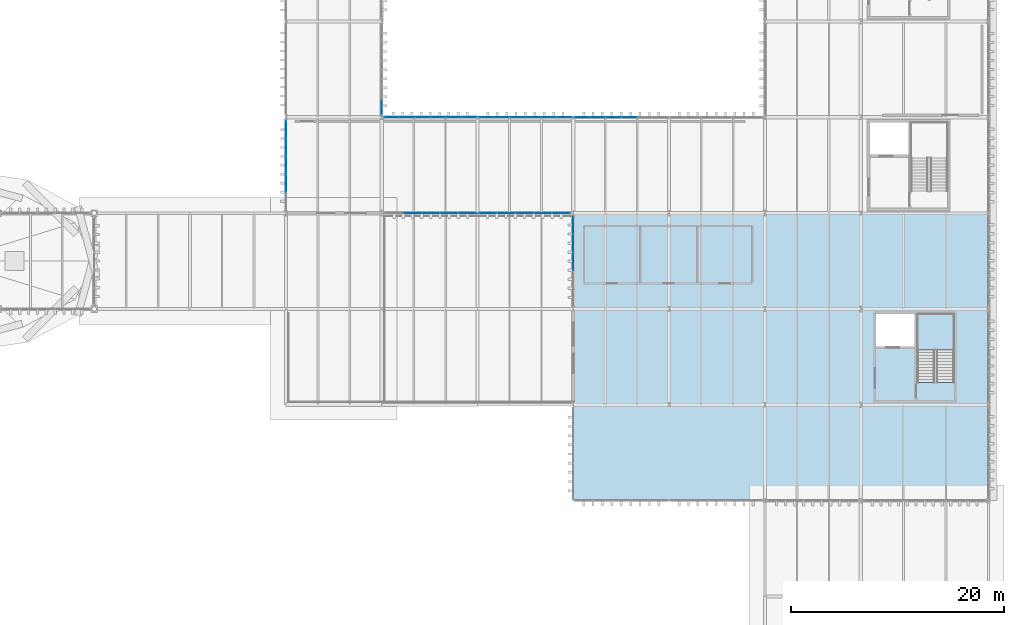
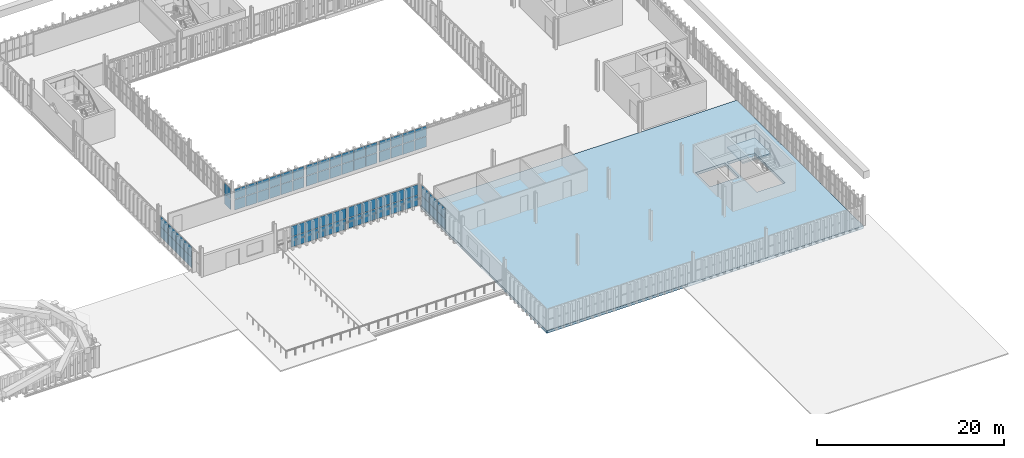
# One storey, part 82 of 102: 66 plates, 2 slabs, 9 elements without a shape of their own.
"""IFC4 building model written with IfcOpenShell, lengths in metres."""

import ifcopenshell
import ifcopenshell.guid

model = None  # the IFC model being written
_history = None  # IfcOwnerHistory: only IFC2X3 demands one
_inside = {}  # id of a spatial element -> (the spatial element, [elements in it])
_under = {}  # id of a project, library or spatial element -> (it, [spatial elements below it])
_declared = {}  # id of a project -> (the project, [libraries it declares])
_typed = {}  # id of a type object -> (the type object, [elements of that type])
_made_of = {}  # id of a material, layer set ... -> (it, [elements and type objects made of it])


def new_model(schema):
    """Start an empty IFC model of exactly this schema.

    Asked for "IFC4X3", IfcOpenShell would pick the latest addendum, in which some entities
    have other attributes; the version numbers below select the first issue.
    IFC2X3 requires an IfcOwnerHistory on every rooted entity: one is made here for all.
    """
    global model, _history
    if schema == "IFC4X3":
        model = ifcopenshell.file(schema_version=(4, 3, 0, 0))
    else:
        model = ifcopenshell.file(schema=schema)
    _inside.clear()
    _under.clear()
    _declared.clear()
    _typed.clear()
    _made_of.clear()
    _history = None
    if model.schema == "IFC2X3":
        org = make("IfcOrganization", Name="unknown")
        user = make(
            "IfcPersonAndOrganization",
            ThePerson=make("IfcPerson", FamilyName="unknown"),
            TheOrganization=org,
        )
        app = make(
            "IfcApplication",
            ApplicationDeveloper=org,
            Version="unknown",
            ApplicationFullName="unknown",
            ApplicationIdentifier="unknown",
        )
        _history = make(
            "IfcOwnerHistory",
            OwningUser=user,
            OwningApplication=app,
            ChangeAction="ADDED",
            CreationDate=0,
        )
    return model


def make(cls, **values):
    """One entity of the class cls with the attributes given. An attribute that is None is left unset."""
    return model.create_entity(
        cls, **{name: value for name, value in values.items() if value is not None}
    )


def rooted(cls, **values):
    """An entity with a GlobalId (a new one), such as an element, a storey or a relation."""
    return make(cls, GlobalId=ifcopenshell.guid.new(), OwnerHistory=_history, **values)


def si_unit(unit_type, name, prefix=None):
    """IfcSIUnit, for example si_unit("LENGTHUNIT", "METRE", prefix="MILLI")."""
    return make("IfcSIUnit", UnitType=unit_type, Prefix=prefix, Name=name)


def assignment(units):
    """IfcUnitAssignment: the units of a project."""
    return None if units is None else make("IfcUnitAssignment", Units=units)


def point(xyz):
    """IfcCartesianPoint."""
    return None if xyz is None else make("IfcCartesianPoint", Coordinates=xyz)


def direction(xyz):
    """IfcDirection."""
    return None if xyz is None else make("IfcDirection", DirectionRatios=xyz)


def frame(location, z_axis=None, x_axis=None):
    """IfcAxis2Placement3D, a coordinate frame: its origin and axes. An axis left out is left unset."""
    return make(
        "IfcAxis2Placement3D",
        Location=point(location),
        Axis=direction(z_axis),
        RefDirection=direction(x_axis),
    )


def frame_2d(location, x_axis=None):
    """IfcAxis2Placement2D, a coordinate frame in the plane: its origin and x axis."""
    return make(
        "IfcAxis2Placement2D", Location=point(location), RefDirection=direction(x_axis)
    )


def origin():
    """The frame at (0, 0, 0) with its axes left unset."""
    return frame((0.0, 0.0, 0.0))


def origin_2d():
    """The frame at (0, 0) in the plane with its x axis left unset."""
    return frame_2d((0.0, 0.0))


def place(relative_to, where):
    """IfcLocalPlacement: puts the frame where relative to a parent placement (None: the world)."""
    return make(
        "IfcLocalPlacement", PlacementRelTo=relative_to, RelativePlacement=where
    )


def context(
    kind, dimensions, precision=None, world=None, true_north=None, identifier=None
):
    """IfcGeometricRepresentationContext, for example the 3D "Model" context."""
    return make(
        "IfcGeometricRepresentationContext",
        ContextIdentifier=identifier,
        ContextType=kind,
        CoordinateSpaceDimension=dimensions,
        Precision=precision,
        WorldCoordinateSystem=world,
        TrueNorth=true_north,
    )


def subcontext(parent, identifier, kind, view, scale=None):
    """IfcGeometricRepresentationSubContext, for example "Body" below "Model"."""
    return make(
        "IfcGeometricRepresentationSubContext",
        ContextIdentifier=identifier,
        ContextType=kind,
        ParentContext=parent,
        TargetScale=scale,
        TargetView=view,
    )


def project(units=None, contexts=None):
    """IfcProject with its units and contexts."""
    return rooted(
        "IfcProject",
        Name="project",
        RepresentationContexts=contexts,
        UnitsInContext=assignment(units),
    )


def spatial(cls, under=None, at=None, **own):
    """A site, building, storey or space (cls), placed at a placement, below another one or the project."""
    s = rooted(cls, ObjectPlacement=at, **own)
    if under is not None:
        _under.setdefault(under.id(), (under, []))[1].append(s)
    return s


def polyline(points):
    """IfcPolyline through the points."""
    return make("IfcPolyline", Points=[point(p) for p in points])


def profile(cls, at=None, kind="AREA", **sizes):
    """A parametric profile (cls). Its sizes go by their IFC names, for example OverallWidth=200.0."""
    return make(cls, ProfileType=kind, Position=at, **sizes)


def rectangle(**sizes):
    """IfcRectangleProfileDef."""
    return profile("IfcRectangleProfileDef", **sizes)


def outline(outer, holes=None, kind="AREA"):
    """IfcArbitraryClosedProfileDef: a profile drawn as a closed curve; with holes, ...WithVoids."""
    if holes is None:
        return make("IfcArbitraryClosedProfileDef", ProfileType=kind, OuterCurve=outer)
    return make(
        "IfcArbitraryProfileDefWithVoids",
        ProfileType=kind,
        OuterCurve=outer,
        InnerCurves=holes,
    )


def extrude(swept, where, along, depth):
    """IfcExtrudedAreaSolid: the profile swept, set in the frame where, extruded along a direction by depth."""
    return make(
        "IfcExtrudedAreaSolid",
        SweptArea=swept,
        Position=where,
        ExtrudedDirection=direction(along),
        Depth=depth,
    )


def shape(context_of_items, identifier, shape_type, items):
    """IfcShapeRepresentation: the items that make up one representation, for example the "Body"."""
    return make(
        "IfcShapeRepresentation",
        ContextOfItems=context_of_items,
        RepresentationIdentifier=identifier,
        RepresentationType=shape_type,
        Items=items,
    )


def material(Name=None, Category=None):
    """IfcMaterial."""
    return make("IfcMaterial", Name=Name, Category=Category)


def layer(
    of_material, thickness, ventilated=None, Name=None, Category=None, Priority=None
):
    """IfcMaterialLayer: one layer of a wall or slab, of a material (None: an air gap)."""
    return make(
        "IfcMaterialLayer",
        Material=of_material,
        LayerThickness=thickness,
        IsVentilated=ventilated,
        Name=Name,
        Category=Category,
        Priority=Priority,
    )


def layer_set(layers, Name=None):
    """IfcMaterialLayerSet."""
    return make("IfcMaterialLayerSet", MaterialLayers=layers, LayerSetName=Name)


def made_of(thing, what):
    """Note that an element or type object is made of a material, layer set ...; save() writes the relation."""
    if what is not None:
        _made_of.setdefault(what.id(), (what, []))[1].append(thing)
    return thing


def type_object(cls, material=None, **own):
    """A type object (cls), such as IfcWallType, which elements share."""
    return made_of(rooted(cls, **own), material)


def element(
    cls,
    number,
    at=None,
    inside=None,
    cuts=None,
    type_object=None,
    material=None,
    context=None,
    identifier="Body",
    shape_type=None,
    held_by="IfcProductDefinitionShape",
    body=None,
    shapes=None,
    **own,
):
    """One element of the class cls, such as IfcWall. Its Tag is "e" and its number.

    at: its placement. inside: the storey or other place that contains it. cuts: it is an
    opening in that element (IfcRelVoidsElement). A single representation is given by context,
    identifier, shape_type and body (its items); several are given by shapes. held_by: the class
    of the entity that holds the representations. save() writes the other relations.
    """
    e = rooted(cls, Tag="e%d" % number, ObjectPlacement=at, **own)
    if body is not None:
        shapes = [shape(context, identifier, shape_type, body)]
    if shapes is not None:
        e.Representation = make(held_by, Representations=shapes)
    if inside is not None:
        _inside.setdefault(inside.id(), (inside, []))[1].append(e)
    if cuts is not None:
        rooted(
            "IfcRelVoidsElement", RelatingBuildingElement=cuts, RelatedOpeningElement=e
        )
    if type_object is not None:
        _typed.setdefault(type_object.id(), (type_object, []))[1].append(e)
    return made_of(e, material)


def aggregate(whole, parts):
    """IfcRelAggregates: a whole, such as a stair, and the parts it consists of."""
    return rooted("IfcRelAggregates", RelatingObject=whole, RelatedObjects=parts)


def save(model, path):
    """Write the relations noted so far, then the file.

    IfcRelAggregates (storeys below a building ...), IfcRelContainedInSpatialStructure (elements
    in a storey), IfcRelDefinesByType, IfcRelAssociatesMaterial and IfcRelDeclares: one each for
    every whole, place, type object, material and project.
    """
    for whole, parts in _under.values():
        aggregate(whole, parts)
    for where, things in _inside.values():
        rooted(
            "IfcRelContainedInSpatialStructure",
            RelatedElements=things,
            RelatingStructure=where,
        )
    for kind, things in _typed.values():
        rooted("IfcRelDefinesByType", RelatedObjects=things, RelatingType=kind)
    for what, things in _made_of.values():
        rooted("IfcRelAssociatesMaterial", RelatedObjects=things, RelatingMaterial=what)
    for by, libraries in _declared.values():
        rooted("IfcRelDeclares", RelatingContext=by, RelatedDefinitions=libraries)
    model.write(path)


model = new_model("IFC4")

# Units and contexts
model_context = context("Model", 3, precision=1e-05, world=origin(), true_north=direction((0.0, 1.0)))
body_context = subcontext(model_context, "Body", "Model", "MODEL_VIEW")
ifc_project = project(units=[si_unit("LENGTHUNIT", "METRE"), si_unit("AREAUNIT", "SQUARE_METRE"), si_unit("VOLUMEUNIT", "CUBIC_METRE"), si_unit("PLANEANGLEUNIT", "RADIAN"), si_unit("MASSUNIT", "GRAM", prefix="KILO")], contexts=[model_context])

# Site, building, storey
site_placement = place(None, origin())
site = spatial("IfcSite", under=ifc_project, at=site_placement, CompositionType="ELEMENT")
building_placement = place(site_placement, origin())
building = spatial("IfcBuilding", under=site, at=building_placement, Name="Barlavento Convention Centre", CompositionType="ELEMENT")
storey_placement = place(building_placement, frame((0.0, 0.0, 22.800048828125)))
storey = spatial("IfcBuildingStorey", under=building, at=storey_placement, Name="L04", CompositionType="ELEMENT", Elevation=22.800048828125)

# Curtain wall, plates
ifc_material_1 = material(Name="Powder-coated aluminium and Low-E glass", Category="aluminium")
ifc_layer_1 = layer(ifc_material_1, 0.179931640625)
ifc_layer_set_1 = layer_set([ifc_layer_1], Name="ARC-CW-PATIO-B")
curtain_wall_type_1 = type_object("IfcCurtainWallType", Name="ARC-CW-PATIO-B", PredefinedType="NOTDEFINED", material=ifc_layer_set_1)
curtain_wall_1_placement = place(storey_placement, origin())
curtain_wall_1 = element("IfcCurtainWall", 1, at=curtain_wall_1_placement, inside=storey, type_object=curtain_wall_type_1, Name="L04 unitised curtain wall CW12", PredefinedType="NOTDEFINED")
ifc_material_2 = material(Name="Double-silver Low-E insulated glass", Category="glass")
ifc_layer_2 = layer(ifc_material_2, 0.028076171875)
ifc_layer_set_2 = layer_set([ifc_layer_2], Name="ARC-CWP-GLZ28")
plate_type = type_object("IfcPlateType", Name="ARC-CWP-GLZ28", PredefinedType="CURTAIN_PANEL", material=ifc_layer_set_2)
plate_1_placement = place(storey_placement, frame((135.96923828125, 63.0, 0.06005859375), z_axis=(0.0, 0.0, 1.0), x_axis=(1.0, 0.0, 0.0)))
plate_1 = element("IfcPlate", 2, at=plate_1_placement, type_object=plate_type, Name="CW12 panel 1.1", PredefinedType="CURTAIN_PANEL", context=body_context, shape_type="SweptSolid", body=[
    extrude(rectangle(XDim=1.3583984375, YDim=0.028076171875, at=origin_2d()), origin(), (0.0, 0.0, 1.0), 1.3349609375),
])
plate_2_placement = place(storey_placement, frame((135.96923828125, 63.0, 1.455078125), z_axis=(0.0, 0.0, 1.0), x_axis=(1.0, 0.0, 0.0)))
plate_2 = element("IfcPlate", 3, at=plate_2_placement, type_object=plate_type, Name="CW12 panel 1.2", PredefinedType="CURTAIN_PANEL", context=body_context, shape_type="SweptSolid", body=[
    extrude(rectangle(XDim=1.3583984375, YDim=0.028076171875, at=origin_2d()), origin(), (0.0, 0.0, 1.0), 1.3349609375),
])
plate_3_placement = place(storey_placement, frame((137.402587890625, 63.0, 0.06005859375), z_axis=(0.0, 0.0, 1.0), x_axis=(1.0, 0.0, 0.0)))
plate_3 = element("IfcPlate", 4, at=plate_3_placement, type_object=plate_type, Name="CW12 panel 2.1", PredefinedType="CURTAIN_PANEL", context=body_context, shape_type="SweptSolid", body=[
    extrude(rectangle(XDim=1.388427734375, YDim=0.028076171875, at=origin_2d()), origin(), (0.0, 0.0, 1.0), 1.3349609375),
])
plate_4_placement = place(storey_placement, frame((137.402587890625, 63.0, 1.455078125), z_axis=(0.0, 0.0, 1.0), x_axis=(1.0, 0.0, 0.0)))
plate_4 = element("IfcPlate", 5, at=plate_4_placement, type_object=plate_type, Name="CW12 panel 2.2", PredefinedType="CURTAIN_PANEL", context=body_context, shape_type="SweptSolid", body=[
    extrude(rectangle(XDim=1.388427734375, YDim=0.028076171875, at=origin_2d()), origin(), (0.0, 0.0, 1.0), 1.3349609375),
])
plate_5_placement = place(storey_placement, frame((138.850830078125, 63.0, 0.06005859375), z_axis=(0.0, 0.0, 1.0), x_axis=(1.0, 0.0, 0.0)))
plate_5 = element("IfcPlate", 6, at=plate_5_placement, type_object=plate_type, Name="CW12 panel 3.1", PredefinedType="CURTAIN_PANEL", context=body_context, shape_type="SweptSolid", body=[
    extrude(rectangle(XDim=1.388427734375, YDim=0.028076171875, at=origin_2d()), origin(), (0.0, 0.0, 1.0), 1.3349609375),
])
plate_6_placement = place(storey_placement, frame((138.850830078125, 63.0, 1.455078125), z_axis=(0.0, 0.0, 1.0), x_axis=(1.0, 0.0, 0.0)))
plate_6 = element("IfcPlate", 7, at=plate_6_placement, type_object=plate_type, Name="CW12 panel 3.2", PredefinedType="CURTAIN_PANEL", context=body_context, shape_type="SweptSolid", body=[
    extrude(rectangle(XDim=1.388427734375, YDim=0.028076171875, at=origin_2d()), origin(), (0.0, 0.0, 1.0), 1.3349609375),
])
plate_7_placement = place(storey_placement, frame((140.299072265625, 63.0, 0.06005859375), z_axis=(0.0, 0.0, 1.0), x_axis=(1.0, 0.0, 0.0)))
plate_7 = element("IfcPlate", 8, at=plate_7_placement, type_object=plate_type, Name="CW12 panel 4.1", PredefinedType="CURTAIN_PANEL", context=body_context, shape_type="SweptSolid", body=[
    extrude(rectangle(XDim=1.388427734375, YDim=0.028076171875, at=origin_2d()), origin(), (0.0, 0.0, 1.0), 1.3349609375),
])
plate_8_placement = place(storey_placement, frame((140.299072265625, 63.0, 1.455078125), z_axis=(0.0, 0.0, 1.0), x_axis=(1.0, 0.0, 0.0)))
plate_8 = element("IfcPlate", 9, at=plate_8_placement, type_object=plate_type, Name="CW12 panel 4.2", PredefinedType="CURTAIN_PANEL", context=body_context, shape_type="SweptSolid", body=[
    extrude(rectangle(XDim=1.388427734375, YDim=0.028076171875, at=origin_2d()), origin(), (0.0, 0.0, 1.0), 1.3349609375),
])
plate_9_placement = place(storey_placement, frame((141.74755859375, 63.0, 0.06005859375), z_axis=(0.0, 0.0, 1.0), x_axis=(1.0, 0.0, 0.0)))
plate_9 = element("IfcPlate", 10, at=plate_9_placement, type_object=plate_type, Name="CW12 panel 5.1", PredefinedType="CURTAIN_PANEL", context=body_context, shape_type="SweptSolid", body=[
    extrude(rectangle(XDim=1.388427734375, YDim=0.028076171875, at=origin_2d()), origin(), (0.0, 0.0, 1.0), 1.3349609375),
])
plate_10_placement = place(storey_placement, frame((141.74755859375, 63.0, 1.455078125), z_axis=(0.0, 0.0, 1.0), x_axis=(1.0, 0.0, 0.0)))
plate_10 = element("IfcPlate", 11, at=plate_10_placement, type_object=plate_type, Name="CW12 panel 5.2", PredefinedType="CURTAIN_PANEL", context=body_context, shape_type="SweptSolid", body=[
    extrude(rectangle(XDim=1.388427734375, YDim=0.028076171875, at=origin_2d()), origin(), (0.0, 0.0, 1.0), 1.3349609375),
])
plate_11_placement = place(storey_placement, frame((143.180908203125, 63.0, 0.06005859375), z_axis=(0.0, 0.0, 1.0), x_axis=(1.0, 0.0, 0.0)))
plate_11 = element("IfcPlate", 12, at=plate_11_placement, type_object=plate_type, Name="CW12 panel 6.1", PredefinedType="CURTAIN_PANEL", context=body_context, shape_type="SweptSolid", body=[
    extrude(rectangle(XDim=1.3583984375, YDim=0.028076171875, at=origin_2d()), origin(), (0.0, 0.0, 1.0), 1.3349609375),
])
plate_12_placement = place(storey_placement, frame((143.180908203125, 63.0, 1.455078125), z_axis=(0.0, 0.0, 1.0), x_axis=(1.0, 0.0, 0.0)))
plate_12 = element("IfcPlate", 13, at=plate_12_placement, type_object=plate_type, Name="CW12 panel 6.2", PredefinedType="CURTAIN_PANEL", context=body_context, shape_type="SweptSolid", body=[
    extrude(rectangle(XDim=1.3583984375, YDim=0.028076171875, at=origin_2d()), origin(), (0.0, 0.0, 1.0), 1.3349609375),
])
aggregate(curtain_wall_1, [plate_1, plate_2, plate_3, plate_4, plate_5, plate_6, plate_7, plate_8, plate_9, plate_10, plate_11, plate_12])

curtain_wall_2_placement = place(storey_placement, origin())
curtain_wall_2 = element("IfcCurtainWall", 14, at=curtain_wall_2_placement, inside=storey, type_object=curtain_wall_type_1, Name="L04 unitised curtain wall CW12", PredefinedType="NOTDEFINED")
plate_13_placement = place(storey_placement, frame((144.831787109375, 63.0, 0.06005859375), z_axis=(0.0, 0.0, 1.0), x_axis=(1.0, 0.0, 0.0)))
plate_13 = element("IfcPlate", 15, at=plate_13_placement, type_object=plate_type, Name="CW12 panel 1.1", PredefinedType="CURTAIN_PANEL", context=body_context, shape_type="SweptSolid", body=[
    extrude(rectangle(XDim=1.38330078125, YDim=0.028076171875, at=origin_2d()), origin(), (0.0, 0.0, 1.0), 1.3349609375),
])
plate_14_placement = place(storey_placement, frame((144.831787109375, 63.0, 1.455078125), z_axis=(0.0, 0.0, 1.0), x_axis=(1.0, 0.0, 0.0)))
plate_14 = element("IfcPlate", 16, at=plate_14_placement, type_object=plate_type, Name="CW12 panel 1.2", PredefinedType="CURTAIN_PANEL", context=body_context, shape_type="SweptSolid", body=[
    extrude(rectangle(XDim=1.38330078125, YDim=0.028076171875, at=origin_2d()), origin(), (0.0, 0.0, 1.0), 1.3349609375),
])
plate_15_placement = place(storey_placement, frame((146.2900390625, 63.0, 0.06005859375), z_axis=(0.0, 0.0, 1.0), x_axis=(1.0, 0.0, 0.0)))
plate_15 = element("IfcPlate", 17, at=plate_15_placement, type_object=plate_type, Name="CW12 panel 2.1", PredefinedType="CURTAIN_PANEL", context=body_context, shape_type="SweptSolid", body=[
    extrude(rectangle(XDim=1.413330078125, YDim=0.028076171875, at=origin_2d()), origin(), (0.0, 0.0, 1.0), 1.3349609375),
])
plate_16_placement = place(storey_placement, frame((146.2900390625, 63.0, 1.455078125), z_axis=(0.0, 0.0, 1.0), x_axis=(1.0, 0.0, 0.0)))
plate_16 = element("IfcPlate", 18, at=plate_16_placement, type_object=plate_type, Name="CW12 panel 2.2", PredefinedType="CURTAIN_PANEL", context=body_context, shape_type="SweptSolid", body=[
    extrude(rectangle(XDim=1.413330078125, YDim=0.028076171875, at=origin_2d()), origin(), (0.0, 0.0, 1.0), 1.3349609375),
])
plate_17_placement = place(storey_placement, frame((147.763427734375, 63.0, 0.06005859375), z_axis=(0.0, 0.0, 1.0), x_axis=(1.0, 0.0, 0.0)))
plate_17 = element("IfcPlate", 19, at=plate_17_placement, type_object=plate_type, Name="CW12 panel 3.1", PredefinedType="CURTAIN_PANEL", context=body_context, shape_type="SweptSolid", body=[
    extrude(rectangle(XDim=1.413330078125, YDim=0.028076171875, at=origin_2d()), origin(), (0.0, 0.0, 1.0), 1.3349609375),
])
plate_18_placement = place(storey_placement, frame((147.763427734375, 63.0, 1.455078125), z_axis=(0.0, 0.0, 1.0), x_axis=(1.0, 0.0, 0.0)))
plate_18 = element("IfcPlate", 20, at=plate_18_placement, type_object=plate_type, Name="CW12 panel 3.2", PredefinedType="CURTAIN_PANEL", context=body_context, shape_type="SweptSolid", body=[
    extrude(rectangle(XDim=1.413330078125, YDim=0.028076171875, at=origin_2d()), origin(), (0.0, 0.0, 1.0), 1.3349609375),
])
plate_19_placement = place(storey_placement, frame((149.236572265625, 63.0, 0.06005859375), z_axis=(0.0, 0.0, 1.0), x_axis=(1.0, 0.0, 0.0)))
plate_19 = element("IfcPlate", 21, at=plate_19_placement, type_object=plate_type, Name="CW12 panel 4.1", PredefinedType="CURTAIN_PANEL", context=body_context, shape_type="SweptSolid", body=[
    extrude(rectangle(XDim=1.413330078125, YDim=0.028076171875, at=origin_2d()), origin(), (0.0, 0.0, 1.0), 1.3349609375),
])
plate_20_placement = place(storey_placement, frame((149.236572265625, 63.0, 1.455078125), z_axis=(0.0, 0.0, 1.0), x_axis=(1.0, 0.0, 0.0)))
plate_20 = element("IfcPlate", 22, at=plate_20_placement, type_object=plate_type, Name="CW12 panel 4.2", PredefinedType="CURTAIN_PANEL", context=body_context, shape_type="SweptSolid", body=[
    extrude(rectangle(XDim=1.413330078125, YDim=0.028076171875, at=origin_2d()), origin(), (0.0, 0.0, 1.0), 1.3349609375),
])
plate_21_placement = place(storey_placement, frame((150.7099609375, 63.0, 0.06005859375), z_axis=(0.0, 0.0, 1.0), x_axis=(1.0, 0.0, 0.0)))
plate_21 = element("IfcPlate", 23, at=plate_21_placement, type_object=plate_type, Name="CW12 panel 5.1", PredefinedType="CURTAIN_PANEL", context=body_context, shape_type="SweptSolid", body=[
    extrude(rectangle(XDim=1.413330078125, YDim=0.028076171875, at=origin_2d()), origin(), (0.0, 0.0, 1.0), 1.3349609375),
])
plate_22_placement = place(storey_placement, frame((150.7099609375, 63.0, 1.455078125), z_axis=(0.0, 0.0, 1.0), x_axis=(1.0, 0.0, 0.0)))
plate_22 = element("IfcPlate", 24, at=plate_22_placement, type_object=plate_type, Name="CW12 panel 5.2", PredefinedType="CURTAIN_PANEL", context=body_context, shape_type="SweptSolid", body=[
    extrude(rectangle(XDim=1.413330078125, YDim=0.028076171875, at=origin_2d()), origin(), (0.0, 0.0, 1.0), 1.3349609375),
])
plate_23_placement = place(storey_placement, frame((152.168212890625, 63.0, 0.06005859375), z_axis=(0.0, 0.0, 1.0), x_axis=(1.0, 0.0, 0.0)))
plate_23 = element("IfcPlate", 25, at=plate_23_placement, type_object=plate_type, Name="CW12 panel 6.1", PredefinedType="CURTAIN_PANEL", context=body_context, shape_type="SweptSolid", body=[
    extrude(rectangle(XDim=1.38330078125, YDim=0.028076171875, at=origin_2d()), origin(), (0.0, 0.0, 1.0), 1.3349609375),
])
plate_24_placement = place(storey_placement, frame((152.168212890625, 63.0, 1.455078125), z_axis=(0.0, 0.0, 1.0), x_axis=(1.0, 0.0, 0.0)))
plate_24 = element("IfcPlate", 26, at=plate_24_placement, type_object=plate_type, Name="CW12 panel 6.2", PredefinedType="CURTAIN_PANEL", context=body_context, shape_type="SweptSolid", body=[
    extrude(rectangle(XDim=1.38330078125, YDim=0.028076171875, at=origin_2d()), origin(), (0.0, 0.0, 1.0), 1.3349609375),
])
aggregate(curtain_wall_2, [plate_13, plate_14, plate_15, plate_16, plate_17, plate_18, plate_19, plate_20, plate_21, plate_22, plate_23, plate_24])

curtain_wall_3_placement = place(storey_placement, origin())
curtain_wall_3 = element("IfcCurtainWall", 27, at=curtain_wall_3_placement, inside=storey, type_object=curtain_wall_type_1, Name="L04 unitised curtain wall CW12", PredefinedType="NOTDEFINED")
plate_25_placement = place(storey_placement, frame((153.831787109375, 63.0, 0.06005859375), z_axis=(0.0, 0.0, 1.0), x_axis=(1.0, 0.0, 0.0)))
plate_25 = element("IfcPlate", 28, at=plate_25_placement, type_object=plate_type, Name="CW12 panel 1.1", PredefinedType="CURTAIN_PANEL", context=body_context, shape_type="SweptSolid", body=[
    extrude(rectangle(XDim=1.38330078125, YDim=0.028076171875, at=origin_2d()), origin(), (0.0, 0.0, 1.0), 1.3349609375),
])
plate_26_placement = place(storey_placement, frame((153.831787109375, 63.0, 1.455078125), z_axis=(0.0, 0.0, 1.0), x_axis=(1.0, 0.0, 0.0)))
plate_26 = element("IfcPlate", 29, at=plate_26_placement, type_object=plate_type, Name="CW12 panel 1.2", PredefinedType="CURTAIN_PANEL", context=body_context, shape_type="SweptSolid", body=[
    extrude(rectangle(XDim=1.38330078125, YDim=0.028076171875, at=origin_2d()), origin(), (0.0, 0.0, 1.0), 1.3349609375),
])
plate_27_placement = place(storey_placement, frame((155.2900390625, 63.0, 0.06005859375), z_axis=(0.0, 0.0, 1.0), x_axis=(1.0, 0.0, 0.0)))
plate_27 = element("IfcPlate", 30, at=plate_27_placement, type_object=plate_type, Name="CW12 panel 2.1", PredefinedType="CURTAIN_PANEL", context=body_context, shape_type="SweptSolid", body=[
    extrude(rectangle(XDim=1.413330078125, YDim=0.028076171875, at=origin_2d()), origin(), (0.0, 0.0, 1.0), 1.3349609375),
])
plate_28_placement = place(storey_placement, frame((155.2900390625, 63.0, 1.455078125), z_axis=(0.0, 0.0, 1.0), x_axis=(1.0, 0.0, 0.0)))
plate_28 = element("IfcPlate", 31, at=plate_28_placement, type_object=plate_type, Name="CW12 panel 2.2", PredefinedType="CURTAIN_PANEL", context=body_context, shape_type="SweptSolid", body=[
    extrude(rectangle(XDim=1.413330078125, YDim=0.028076171875, at=origin_2d()), origin(), (0.0, 0.0, 1.0), 1.3349609375),
])
plate_29_placement = place(storey_placement, frame((156.763427734375, 63.0, 0.06005859375), z_axis=(0.0, 0.0, 1.0), x_axis=(1.0, 0.0, 0.0)))
plate_29 = element("IfcPlate", 32, at=plate_29_placement, type_object=plate_type, Name="CW12 panel 3.1", PredefinedType="CURTAIN_PANEL", context=body_context, shape_type="SweptSolid", body=[
    extrude(rectangle(XDim=1.413330078125, YDim=0.028076171875, at=origin_2d()), origin(), (0.0, 0.0, 1.0), 1.3349609375),
])
plate_30_placement = place(storey_placement, frame((156.763427734375, 63.0, 1.455078125), z_axis=(0.0, 0.0, 1.0), x_axis=(1.0, 0.0, 0.0)))
plate_30 = element("IfcPlate", 33, at=plate_30_placement, type_object=plate_type, Name="CW12 panel 3.2", PredefinedType="CURTAIN_PANEL", context=body_context, shape_type="SweptSolid", body=[
    extrude(rectangle(XDim=1.413330078125, YDim=0.028076171875, at=origin_2d()), origin(), (0.0, 0.0, 1.0), 1.3349609375),
])
plate_31_placement = place(storey_placement, frame((158.236572265625, 63.0, 0.06005859375), z_axis=(0.0, 0.0, 1.0), x_axis=(1.0, 0.0, 0.0)))
plate_31 = element("IfcPlate", 34, at=plate_31_placement, type_object=plate_type, Name="CW12 panel 4.1", PredefinedType="CURTAIN_PANEL", context=body_context, shape_type="SweptSolid", body=[
    extrude(rectangle(XDim=1.413330078125, YDim=0.028076171875, at=origin_2d()), origin(), (0.0, 0.0, 1.0), 1.3349609375),
])
plate_32_placement = place(storey_placement, frame((158.236572265625, 63.0, 1.455078125), z_axis=(0.0, 0.0, 1.0), x_axis=(1.0, 0.0, 0.0)))
plate_32 = element("IfcPlate", 35, at=plate_32_placement, type_object=plate_type, Name="CW12 panel 4.2", PredefinedType="CURTAIN_PANEL", context=body_context, shape_type="SweptSolid", body=[
    extrude(rectangle(XDim=1.413330078125, YDim=0.028076171875, at=origin_2d()), origin(), (0.0, 0.0, 1.0), 1.3349609375),
])
aggregate(curtain_wall_3, [plate_25, plate_26, plate_27, plate_28, plate_29, plate_30, plate_31, plate_32])

curtain_wall_4_placement = place(storey_placement, origin())
curtain_wall_4 = element("IfcCurtainWall", 36, at=curtain_wall_4_placement, inside=storey, type_object=curtain_wall_type_1, Name="L04 unitised curtain wall CW12", PredefinedType="NOTDEFINED")
plate_33_placement = place(storey_placement, frame((135.0, 63.9541015625, 0.06005859375), z_axis=(0.0, 0.0, 1.0), x_axis=(0.0, 1.0, 0.0)))
plate_33 = element("IfcPlate", 37, at=plate_33_placement, type_object=plate_type, Name="CW12 panel 1.1", PredefinedType="CURTAIN_PANEL", context=body_context, shape_type="SweptSolid", body=[
    extrude(rectangle(XDim=1.328369140625, YDim=0.028076171875, at=origin_2d()), origin(), (0.0, 0.0, 1.0), 1.3349609375),
])
plate_34_placement = place(storey_placement, frame((135.0, 63.9541015625, 1.455078125), z_axis=(0.0, 0.0, 1.0), x_axis=(0.0, 1.0, 0.0)))
plate_34 = element("IfcPlate", 38, at=plate_34_placement, type_object=plate_type, Name="CW12 panel 1.2", PredefinedType="CURTAIN_PANEL", context=body_context, shape_type="SweptSolid", body=[
    extrude(rectangle(XDim=1.328369140625, YDim=0.028076171875, at=origin_2d()), origin(), (0.0, 0.0, 1.0), 1.3349609375),
])
aggregate(curtain_wall_4, [plate_33, plate_34])

ifc_layer_3 = layer(ifc_material_1, 0.18505859375)
ifc_layer_set_3 = layer_set([ifc_layer_3], Name="ARC-CW-CONF-L04")
curtain_wall_type_2 = type_object("IfcCurtainWallType", Name="ARC-CW-CONF-L04", PredefinedType="NOTDEFINED", material=ifc_layer_set_3)
curtain_wall_5_placement = place(storey_placement, origin())
curtain_wall_5 = element("IfcCurtainWall", 39, at=curtain_wall_5_placement, inside=storey, type_object=curtain_wall_type_2, Name="L04 unitised curtain wall CW09", PredefinedType="NOTDEFINED")
plate_35_placement = place(storey_placement, frame((153.0, 49.485107421875, 0.06005859375), z_axis=(0.0, 0.0, 1.0), x_axis=(0.0, 1.0, 0.0)))
plate_35 = element("IfcPlate", 40, at=plate_35_placement, type_object=plate_type, Name="CW09 panel 3.1", PredefinedType="CURTAIN_PANEL", context=body_context, shape_type="SweptSolid", body=[
    extrude(rectangle(XDim=1.64208984375, YDim=0.028076171875, at=origin_2d()), origin(), (0.0, 0.0, 1.0), 1.3349609375),
])
plate_36_placement = place(storey_placement, frame((153.0, 49.485107421875, 1.455078125), z_axis=(0.0, 0.0, 1.0), x_axis=(0.0, 1.0, 0.0)))
plate_36 = element("IfcPlate", 41, at=plate_36_placement, type_object=plate_type, Name="CW09 panel 3.2", PredefinedType="CURTAIN_PANEL", context=body_context, shape_type="SweptSolid", body=[
    extrude(rectangle(XDim=1.64208984375, YDim=0.028076171875, at=origin_2d()), origin(), (0.0, 0.0, 1.0), 1.3349609375),
])
plate_37_placement = place(storey_placement, frame((153.0, 51.18701171875, 0.06005859375), z_axis=(0.0, 0.0, 1.0), x_axis=(0.0, 1.0, 0.0)))
plate_37 = element("IfcPlate", 42, at=plate_37_placement, type_object=plate_type, Name="CW09 panel 4.1", PredefinedType="CURTAIN_PANEL", context=body_context, shape_type="SweptSolid", body=[
    extrude(rectangle(XDim=1.64208984375, YDim=0.028076171875, at=origin_2d()), origin(), (0.0, 0.0, 1.0), 1.3349609375),
])
plate_38_placement = place(storey_placement, frame((153.0, 51.18701171875, 1.455078125), z_axis=(0.0, 0.0, 1.0), x_axis=(0.0, 1.0, 0.0)))
plate_38 = element("IfcPlate", 43, at=plate_38_placement, type_object=plate_type, Name="CW09 panel 4.2", PredefinedType="CURTAIN_PANEL", context=body_context, shape_type="SweptSolid", body=[
    extrude(rectangle(XDim=1.64208984375, YDim=0.028076171875, at=origin_2d()), origin(), (0.0, 0.0, 1.0), 1.3349609375),
])
plate_39_placement = place(storey_placement, frame((153.0, 52.8740234375, 0.06005859375), z_axis=(0.0, 0.0, 1.0), x_axis=(0.0, 1.0, 0.0)))
plate_39 = element("IfcPlate", 44, at=plate_39_placement, type_object=plate_type, Name="CW09 panel 5.1", PredefinedType="CURTAIN_PANEL", context=body_context, shape_type="SweptSolid", body=[
    extrude(rectangle(XDim=1.612060546875, YDim=0.028076171875, at=origin_2d()), origin(), (0.0, 0.0, 1.0), 1.3349609375),
])
plate_40_placement = place(storey_placement, frame((153.0, 52.8740234375, 1.455078125), z_axis=(0.0, 0.0, 1.0), x_axis=(0.0, 1.0, 0.0)))
plate_40 = element("IfcPlate", 45, at=plate_40_placement, type_object=plate_type, Name="CW09 panel 5.2", PredefinedType="CURTAIN_PANEL", context=body_context, shape_type="SweptSolid", body=[
    extrude(rectangle(XDim=1.612060546875, YDim=0.028076171875, at=origin_2d()), origin(), (0.0, 0.0, 1.0), 1.3349609375),
])
aggregate(curtain_wall_5, [plate_35, plate_36, plate_37, plate_38, plate_39, plate_40])

curtain_wall_6_placement = place(storey_placement, origin())
curtain_wall_6 = element("IfcCurtainWall", 46, at=curtain_wall_6_placement, inside=storey, type_object=curtain_wall_type_2, Name="L04 unitised curtain wall CW09", PredefinedType="NOTDEFINED")
plate_41_placement = place(storey_placement, frame((137.89306640625, 54.0, 0.06005859375), z_axis=(0.0, 0.0, 1.0), x_axis=(1.0, 0.0, 0.0)))
plate_41 = element("IfcPlate", 47, at=plate_41_placement, type_object=plate_type, Name="CW09 panel 2.1", PredefinedType="CURTAIN_PANEL", context=body_context, shape_type="SweptSolid", body=[
    extrude(rectangle(XDim=1.662109375, YDim=0.028076171875, at=origin_2d()), origin(), (0.0, 0.0, 1.0), 1.3349609375),
])
plate_42_placement = place(storey_placement, frame((137.89306640625, 54.0, 1.455078125), z_axis=(0.0, 0.0, 1.0), x_axis=(1.0, 0.0, 0.0)))
plate_42 = element("IfcPlate", 48, at=plate_42_placement, type_object=plate_type, Name="CW09 panel 2.2", PredefinedType="CURTAIN_PANEL", context=body_context, shape_type="SweptSolid", body=[
    extrude(rectangle(XDim=1.662109375, YDim=0.028076171875, at=origin_2d()), origin(), (0.0, 0.0, 1.0), 1.3349609375),
])
plate_43_placement = place(storey_placement, frame((139.614990234375, 54.0, 0.06005859375), z_axis=(0.0, 0.0, 1.0), x_axis=(1.0, 0.0, 0.0)))
plate_43 = element("IfcPlate", 49, at=plate_43_placement, type_object=plate_type, Name="CW09 panel 3.1", PredefinedType="CURTAIN_PANEL", context=body_context, shape_type="SweptSolid", body=[
    extrude(rectangle(XDim=1.662109375, YDim=0.028076171875, at=origin_2d()), origin(), (0.0, 0.0, 1.0), 1.3349609375),
])
plate_44_placement = place(storey_placement, frame((139.614990234375, 54.0, 1.455078125), z_axis=(0.0, 0.0, 1.0), x_axis=(1.0, 0.0, 0.0)))
plate_44 = element("IfcPlate", 50, at=plate_44_placement, type_object=plate_type, Name="CW09 panel 3.2", PredefinedType="CURTAIN_PANEL", context=body_context, shape_type="SweptSolid", body=[
    extrude(rectangle(XDim=1.662109375, YDim=0.028076171875, at=origin_2d()), origin(), (0.0, 0.0, 1.0), 1.3349609375),
])
plate_45_placement = place(storey_placement, frame((141.3369140625, 54.0, 0.06005859375), z_axis=(0.0, 0.0, 1.0), x_axis=(1.0, 0.0, 0.0)))
plate_45 = element("IfcPlate", 51, at=plate_45_placement, type_object=plate_type, Name="CW09 panel 4.1", PredefinedType="CURTAIN_PANEL", context=body_context, shape_type="SweptSolid", body=[
    extrude(rectangle(XDim=1.662109375, YDim=0.028076171875, at=origin_2d()), origin(), (0.0, 0.0, 1.0), 1.3349609375),
])
plate_46_placement = place(storey_placement, frame((141.3369140625, 54.0, 1.455078125), z_axis=(0.0, 0.0, 1.0), x_axis=(1.0, 0.0, 0.0)))
plate_46 = element("IfcPlate", 52, at=plate_46_placement, type_object=plate_type, Name="CW09 panel 4.2", PredefinedType="CURTAIN_PANEL", context=body_context, shape_type="SweptSolid", body=[
    extrude(rectangle(XDim=1.662109375, YDim=0.028076171875, at=origin_2d()), origin(), (0.0, 0.0, 1.0), 1.3349609375),
])
plate_47_placement = place(storey_placement, frame((143.0439453125, 54.0, 0.06005859375), z_axis=(0.0, 0.0, 1.0), x_axis=(1.0, 0.0, 0.0)))
plate_47 = element("IfcPlate", 53, at=plate_47_placement, type_object=plate_type, Name="CW09 panel 5.1", PredefinedType="CURTAIN_PANEL", context=body_context, shape_type="SweptSolid", body=[
    extrude(rectangle(XDim=1.632080078125, YDim=0.028076171875, at=origin_2d()), origin(), (0.0, 0.0, 1.0), 1.3349609375),
])
plate_48_placement = place(storey_placement, frame((143.0439453125, 54.0, 1.455078125), z_axis=(0.0, 0.0, 1.0), x_axis=(1.0, 0.0, 0.0)))
plate_48 = element("IfcPlate", 54, at=plate_48_placement, type_object=plate_type, Name="CW09 panel 5.2", PredefinedType="CURTAIN_PANEL", context=body_context, shape_type="SweptSolid", body=[
    extrude(rectangle(XDim=1.632080078125, YDim=0.028076171875, at=origin_2d()), origin(), (0.0, 0.0, 1.0), 1.3349609375),
])
aggregate(curtain_wall_6, [plate_41, plate_42, plate_43, plate_44, plate_45, plate_46, plate_47, plate_48])

curtain_wall_7_placement = place(storey_placement, origin())
curtain_wall_7 = element("IfcCurtainWall", 55, at=curtain_wall_7_placement, inside=storey, type_object=curtain_wall_type_2, Name="L04 unitised curtain wall CW09", PredefinedType="NOTDEFINED")
plate_49_placement = place(storey_placement, frame((144.9609375, 54.0, 0.06005859375), z_axis=(0.0, 0.0, 1.0), x_axis=(1.0, 0.0, 0.0)))
plate_49 = element("IfcPlate", 56, at=plate_49_placement, type_object=plate_type, Name="CW09 panel 1.1", PredefinedType="CURTAIN_PANEL", context=body_context, shape_type="SweptSolid", body=[
    extrude(rectangle(XDim=1.64208984375, YDim=0.028076171875, at=origin_2d()), origin(), (0.0, 0.0, 1.0), 1.3349609375),
])
plate_50_placement = place(storey_placement, frame((144.9609375, 54.0, 1.455078125), z_axis=(0.0, 0.0, 1.0), x_axis=(1.0, 0.0, 0.0)))
plate_50 = element("IfcPlate", 57, at=plate_50_placement, type_object=plate_type, Name="CW09 panel 1.2", PredefinedType="CURTAIN_PANEL", context=body_context, shape_type="SweptSolid", body=[
    extrude(rectangle(XDim=1.64208984375, YDim=0.028076171875, at=origin_2d()), origin(), (0.0, 0.0, 1.0), 1.3349609375),
])
plate_51_placement = place(storey_placement, frame((146.677978515625, 54.0, 0.06005859375), z_axis=(0.0, 0.0, 1.0), x_axis=(1.0, 0.0, 0.0)))
plate_51 = element("IfcPlate", 58, at=plate_51_placement, type_object=plate_type, Name="CW09 panel 2.1", PredefinedType="CURTAIN_PANEL", context=body_context, shape_type="SweptSolid", body=[
    extrude(rectangle(XDim=1.672119140625, YDim=0.028076171875, at=origin_2d()), origin(), (0.0, 0.0, 1.0), 1.3349609375),
])
plate_52_placement = place(storey_placement, frame((146.677978515625, 54.0, 1.455078125), z_axis=(0.0, 0.0, 1.0), x_axis=(1.0, 0.0, 0.0)))
plate_52 = element("IfcPlate", 59, at=plate_52_placement, type_object=plate_type, Name="CW09 panel 2.2", PredefinedType="CURTAIN_PANEL", context=body_context, shape_type="SweptSolid", body=[
    extrude(rectangle(XDim=1.672119140625, YDim=0.028076171875, at=origin_2d()), origin(), (0.0, 0.0, 1.0), 1.3349609375),
])
plate_53_placement = place(storey_placement, frame((148.409912109375, 54.0, 0.06005859375), z_axis=(0.0, 0.0, 1.0), x_axis=(1.0, 0.0, 0.0)))
plate_53 = element("IfcPlate", 60, at=plate_53_placement, type_object=plate_type, Name="CW09 panel 3.1", PredefinedType="CURTAIN_PANEL", context=body_context, shape_type="SweptSolid", body=[
    extrude(rectangle(XDim=1.672119140625, YDim=0.028076171875, at=origin_2d()), origin(), (0.0, 0.0, 1.0), 1.3349609375),
])
plate_54_placement = place(storey_placement, frame((148.409912109375, 54.0, 1.455078125), z_axis=(0.0, 0.0, 1.0), x_axis=(1.0, 0.0, 0.0)))
plate_54 = element("IfcPlate", 61, at=plate_54_placement, type_object=plate_type, Name="CW09 panel 3.2", PredefinedType="CURTAIN_PANEL", context=body_context, shape_type="SweptSolid", body=[
    extrude(rectangle(XDim=1.672119140625, YDim=0.028076171875, at=origin_2d()), origin(), (0.0, 0.0, 1.0), 1.3349609375),
])
plate_55_placement = place(storey_placement, frame((150.14208984375, 54.0, 0.06005859375), z_axis=(0.0, 0.0, 1.0), x_axis=(1.0, 0.0, 0.0)))
plate_55 = element("IfcPlate", 62, at=plate_55_placement, type_object=plate_type, Name="CW09 panel 4.1", PredefinedType="CURTAIN_PANEL", context=body_context, shape_type="SweptSolid", body=[
    extrude(rectangle(XDim=1.672119140625, YDim=0.028076171875, at=origin_2d()), origin(), (0.0, 0.0, 1.0), 1.3349609375),
])
plate_56_placement = place(storey_placement, frame((150.14208984375, 54.0, 1.455078125), z_axis=(0.0, 0.0, 1.0), x_axis=(1.0, 0.0, 0.0)))
plate_56 = element("IfcPlate", 63, at=plate_56_placement, type_object=plate_type, Name="CW09 panel 4.2", PredefinedType="CURTAIN_PANEL", context=body_context, shape_type="SweptSolid", body=[
    extrude(rectangle(XDim=1.672119140625, YDim=0.028076171875, at=origin_2d()), origin(), (0.0, 0.0, 1.0), 1.3349609375),
])
plate_57_placement = place(storey_placement, frame((151.85888671875, 54.0, 0.06005859375), z_axis=(0.0, 0.0, 1.0), x_axis=(1.0, 0.0, 0.0)))
plate_57 = element("IfcPlate", 64, at=plate_57_placement, type_object=plate_type, Name="CW09 panel 5.1", PredefinedType="CURTAIN_PANEL", context=body_context, shape_type="SweptSolid", body=[
    extrude(rectangle(XDim=1.64208984375, YDim=0.028076171875, at=origin_2d()), origin(), (0.0, 0.0, 1.0), 1.3349609375),
])
plate_58_placement = place(storey_placement, frame((151.85888671875, 54.0, 1.455078125), z_axis=(0.0, 0.0, 1.0), x_axis=(1.0, 0.0, 0.0)))
plate_58 = element("IfcPlate", 65, at=plate_58_placement, type_object=plate_type, Name="CW09 panel 5.2", PredefinedType="CURTAIN_PANEL", context=body_context, shape_type="SweptSolid", body=[
    extrude(rectangle(XDim=1.64208984375, YDim=0.028076171875, at=origin_2d()), origin(), (0.0, 0.0, 1.0), 1.3349609375),
])
aggregate(curtain_wall_7, [plate_49, plate_50, plate_51, plate_52, plate_53, plate_54, plate_55, plate_56, plate_57, plate_58])

curtain_wall_8_placement = place(storey_placement, origin())
curtain_wall_8 = element("IfcCurtainWall", 66, at=curtain_wall_8_placement, inside=storey, type_object=curtain_wall_type_2, Name="L04 unitised curtain wall CW09", PredefinedType="NOTDEFINED")
plate_59_placement = place(storey_placement, frame((126.0, 56.806396484375, 0.06005859375), z_axis=(0.0, 0.0, 1.0), x_axis=(0.0, 1.0, 0.0)))
plate_59 = element("IfcPlate", 67, at=plate_59_placement, type_object=plate_type, Name="CW09 panel 2.1", PredefinedType="CURTAIN_PANEL", context=body_context, shape_type="SweptSolid", body=[
    extrude(rectangle(XDim=1.62109375, YDim=0.028076171875, at=origin_2d()), origin(), (0.0, 0.0, 1.0), 1.3349609375),
])
plate_60_placement = place(storey_placement, frame((126.0, 56.806396484375, 1.455078125), z_axis=(0.0, 0.0, 1.0), x_axis=(0.0, 1.0, 0.0)))
plate_60 = element("IfcPlate", 68, at=plate_60_placement, type_object=plate_type, Name="CW09 panel 2.2", PredefinedType="CURTAIN_PANEL", context=body_context, shape_type="SweptSolid", body=[
    extrude(rectangle(XDim=1.62109375, YDim=0.028076171875, at=origin_2d()), origin(), (0.0, 0.0, 1.0), 1.3349609375),
])
plate_61_placement = place(storey_placement, frame((126.0, 58.487548828125, 0.06005859375), z_axis=(0.0, 0.0, 1.0), x_axis=(0.0, 1.0, 0.0)))
plate_61 = element("IfcPlate", 69, at=plate_61_placement, type_object=plate_type, Name="CW09 panel 3.1", PredefinedType="CURTAIN_PANEL", context=body_context, shape_type="SweptSolid", body=[
    extrude(rectangle(XDim=1.62109375, YDim=0.028076171875, at=origin_2d()), origin(), (0.0, 0.0, 1.0), 1.3349609375),
])
plate_62_placement = place(storey_placement, frame((126.0, 58.487548828125, 1.455078125), z_axis=(0.0, 0.0, 1.0), x_axis=(0.0, 1.0, 0.0)))
plate_62 = element("IfcPlate", 70, at=plate_62_placement, type_object=plate_type, Name="CW09 panel 3.2", PredefinedType="CURTAIN_PANEL", context=body_context, shape_type="SweptSolid", body=[
    extrude(rectangle(XDim=1.62109375, YDim=0.028076171875, at=origin_2d()), origin(), (0.0, 0.0, 1.0), 1.3349609375),
])
plate_63_placement = place(storey_placement, frame((126.0, 60.16845703125, 0.06005859375), z_axis=(0.0, 0.0, 1.0), x_axis=(0.0, 1.0, 0.0)))
plate_63 = element("IfcPlate", 71, at=plate_63_placement, type_object=plate_type, Name="CW09 panel 4.1", PredefinedType="CURTAIN_PANEL", context=body_context, shape_type="SweptSolid", body=[
    extrude(rectangle(XDim=1.62109375, YDim=0.028076171875, at=origin_2d()), origin(), (0.0, 0.0, 1.0), 1.3349609375),
])
plate_64_placement = place(storey_placement, frame((126.0, 60.16845703125, 1.455078125), z_axis=(0.0, 0.0, 1.0), x_axis=(0.0, 1.0, 0.0)))
plate_64 = element("IfcPlate", 72, at=plate_64_placement, type_object=plate_type, Name="CW09 panel 4.2", PredefinedType="CURTAIN_PANEL", context=body_context, shape_type="SweptSolid", body=[
    extrude(rectangle(XDim=1.62109375, YDim=0.028076171875, at=origin_2d()), origin(), (0.0, 0.0, 1.0), 1.3349609375),
])
plate_65_placement = place(storey_placement, frame((126.0, 61.83447265625, 0.06005859375), z_axis=(0.0, 0.0, 1.0), x_axis=(0.0, 1.0, 0.0)))
plate_65 = element("IfcPlate", 73, at=plate_65_placement, type_object=plate_type, Name="CW09 panel 5.1", PredefinedType="CURTAIN_PANEL", context=body_context, shape_type="SweptSolid", body=[
    extrude(rectangle(XDim=1.591064453125, YDim=0.028076171875, at=origin_2d()), origin(), (0.0, 0.0, 1.0), 1.3349609375),
])
plate_66_placement = place(storey_placement, frame((126.0, 61.83447265625, 1.455078125), z_axis=(0.0, 0.0, 1.0), x_axis=(0.0, 1.0, 0.0)))
plate_66 = element("IfcPlate", 74, at=plate_66_placement, type_object=plate_type, Name="CW09 panel 5.2", PredefinedType="CURTAIN_PANEL", context=body_context, shape_type="SweptSolid", body=[
    extrude(rectangle(XDim=1.591064453125, YDim=0.028076171875, at=origin_2d()), origin(), (0.0, 0.0, 1.0), 1.3349609375),
])
aggregate(curtain_wall_8, [plate_59, plate_60, plate_61, plate_62, plate_63, plate_64, plate_65, plate_66])

# Stair, slab
ifc_material_3 = material(Name="Concrete C40/50", Category="concrete")
stair_type = type_object("IfcStairType", Name="ARC-STR-DOG-1620", PredefinedType="HALF_TURN_STAIR", material=ifc_material_3)
stair_placement = place(storey_placement, origin())
stair = element("IfcStair", 75, at=stair_placement, inside=storey, type_object=stair_type, Name="L04 ST06", PredefinedType="HALF_TURN_STAIR")
ifc_layer_4 = layer(ifc_material_3, 0.199951171875)
ifc_layer_set_4 = layer_set([ifc_layer_4], Name="ARC-SLB-LND-200")
slab_type_1 = type_object("IfcSlabType", Name="ARC-SLB-LND-200", PredefinedType="LANDING", material=ifc_layer_set_4)
slab_1_placement = place(storey_placement, frame((0.0, 0.0, 1.800048828125)))
slab_1 = element("IfcSlab", 76, at=slab_1_placement, type_object=slab_type_1, Name="ST06 landing 1", PredefinedType="LANDING", context=body_context, shape_type="SweptSolid", body=[
    extrude(outline(polyline([(188.75, 41.169921875), (188.75, 44.530029296875), (185.31005859375, 44.530029296875), (185.31005859375, 41.169921875), (188.75, 41.169921875)])), origin(), (0.0, 0.0, 1.0), 0.199951171875),
])
aggregate(stair, [slab_1])

# Slab
ifc_layer_5 = layer(ifc_material_3, 0.35009765625)
ifc_layer_set_5 = layer_set([ifc_layer_5], Name="STR-SLB-FLR-350")
slab_type_2 = type_object("IfcSlabType", Name="STR-SLB-FLR-350", PredefinedType="FLOOR", material=ifc_layer_set_5)
slab_2_placement = place(storey_placement, frame((0.0, 0.0, -0.35009765625)))
element("IfcSlab", 77, at=slab_2_placement, inside=storey, type_object=slab_type_2, Name="L04 structural slab FS-401", PredefinedType="FLOOR", context=body_context, shape_type="SweptSolid", body=[
    extrude(outline(polyline([(153.0, 27.0), (192.0, 27.0), (192.0, 54.0), (153.0, 54.0), (153.0, 27.0)]), holes=[polyline([(188.75, 38.114990234375), (188.75, 44.530029296875), (185.31005859375, 44.530029296875), (185.31005859375, 38.114990234375), (188.75, 38.114990234375)]), polyline([(181.449951171875, 41.4951171875), (185.06005859375, 41.4951171875), (185.06005859375, 44.530029296875), (181.449951171875, 44.530029296875), (181.449951171875, 41.4951171875)])]), origin(), (0.0, 0.0, 1.0), 0.35009765625),
])

save(model, "model.ifc")
